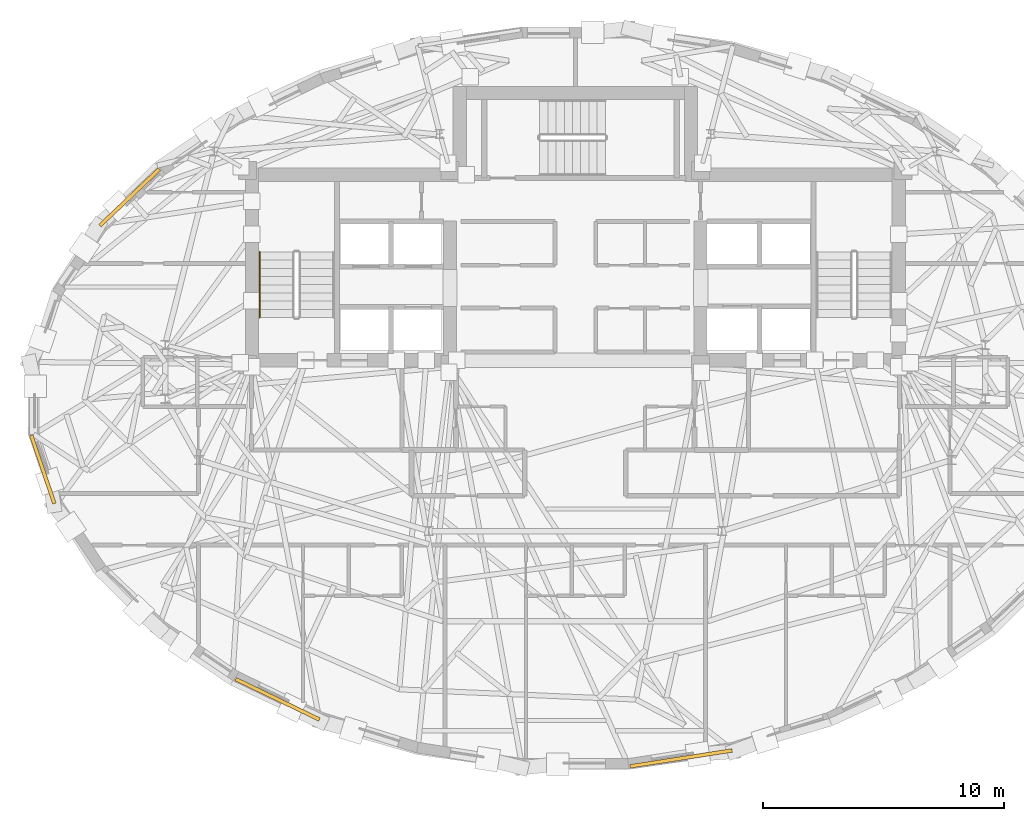
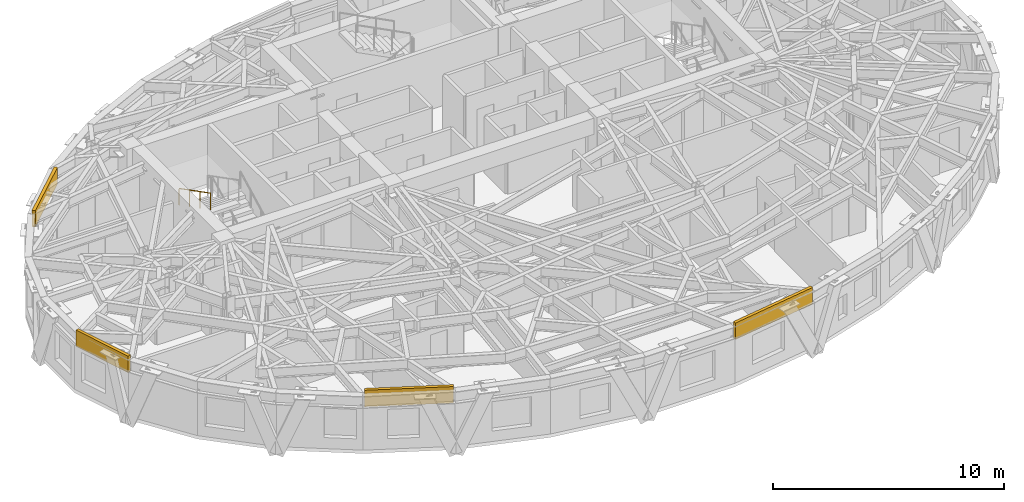
# One storey, part 12 of 14: 4 coverings, 1 railing.
"""IFC4 building model written with IfcOpenShell, lengths in metres."""

from ifc_helpers import new_model, si_unit, direction, frame, origin, origin_2d, place, context, subcontext, project, spatial, rectangle, circle, extrude, material, layer, layer_set, type_object, element, save


model = new_model("IFC4")

# Units and contexts
model_context = context("Model", 3, precision=1e-05, world=origin(), true_north=direction((0.0, 1.0)))
body_context = subcontext(model_context, "Body", "Model", "MODEL_VIEW")
ifc_project = project(units=[si_unit("LENGTHUNIT", "METRE"), si_unit("AREAUNIT", "SQUARE_METRE"), si_unit("VOLUMEUNIT", "CUBIC_METRE"), si_unit("PLANEANGLEUNIT", "RADIAN"), si_unit("MASSUNIT", "GRAM", prefix="KILO")], contexts=[model_context])

# Site, building, storey
site_placement = place(None, origin())
site = spatial("IfcSite", under=ifc_project, at=site_placement, CompositionType="ELEMENT")
building_placement = place(site_placement, origin())
building = spatial("IfcBuilding", under=site, at=building_placement, Name="Keldmark Tower", CompositionType="ELEMENT")
storey_placement = place(building_placement, frame((0.0, 0.0, 225.75)))
storey = spatial("IfcBuildingStorey", under=building, at=storey_placement, Name="L63", CompositionType="ELEMENT", Elevation=225.75)

# Coverings
ifc_material_1 = material(Name="Honed Kasota Buff Dolomitic Limestone", Category="masonry")
ifc_layer = layer(ifc_material_1, 0.074951171875)
ifc_layer_set = layer_set([ifc_layer], Name="Honed Kasota Buff Dolomitic Limestone")
covering_type = type_object("IfcCoveringType", Name="Kasota Buff Limestone Spandrel Cladding Band", PredefinedType="CLADDING", material=ifc_layer_set)
covering_1_placement = place(storey_placement, frame((-18.502685546875, 8.33349609375, 2.260009765625), z_axis=(0.0, 0.0, 1.0), x_axis=(-0.724508786636, -0.689265564269, 0.0)))
element("IfcCovering", 1, at=covering_1_placement, inside=storey, type_object=covering_type, Name="L63 Kasota Limestone Spandrel Band 13", PredefinedType="CLADDING", context=body_context, shape_type="SweptSolid", body=[
    extrude(rectangle(XDim=3.4072265625, YDim=0.14990234375, at=origin_2d()), origin(), (0.0, 0.0, 1.0), 0.8701171875),
])
covering_2_placement = place(storey_placement, frame((-22.104736328125, -2.9560546875, 2.260009765625), z_axis=(0.0, 0.0, 1.0), x_axis=(0.321323773565, -0.946969393667, 0.0)))
element("IfcCovering", 2, at=covering_2_placement, inside=storey, type_object=covering_type, Name="L63 Kasota Limestone Spandrel Band 17", PredefinedType="CLADDING", context=body_context, shape_type="SweptSolid", body=[
    extrude(rectangle(XDim=2.994384765625, YDim=0.14990234375, at=origin_2d()), origin(), (0.0, 0.0, 1.0), 0.8701171875),
])
covering_3_placement = place(storey_placement, frame((-12.35791015625, -12.500244140625, 2.260009765625), z_axis=(0.0, 0.0, 1.0), x_axis=(0.900326367481, -0.435215385779, 0.0)))
element("IfcCovering", 3, at=covering_3_placement, inside=storey, type_object=covering_type, Name="L63 Kasota Limestone Spandrel Band 21", PredefinedType="CLADDING", context=body_context, shape_type="SweptSolid", body=[
    extrude(rectangle(XDim=3.86181640625, YDim=0.14990234375, at=origin_2d()), origin(), (0.0, 0.0, 1.0), 0.8701171875),
])
covering_4_placement = place(storey_placement, frame((4.39404296875, -14.95263671875, 2.260009765625), z_axis=(0.0, 0.0, 1.0), x_axis=(0.988040736507, 0.15419307054, 0.0)))
element("IfcCovering", 4, at=covering_4_placement, inside=storey, type_object=covering_type, Name="L63 Kasota Limestone Spandrel Band 25", PredefinedType="CLADDING", context=body_context, shape_type="SweptSolid", body=[
    extrude(rectangle(XDim=4.281005859375, YDim=0.14990234375, at=origin_2d()), origin(), (0.0, 0.0, 1.0), 0.8701171875),
])

# Railing
ifc_material_2 = material(Name="Stainless Steel AISI 316L", Category="steel")
railing_type = type_object("IfcRailingType", Name="Stainless Steel Stair Handrail 900 mm", PredefinedType="HANDRAIL", material=ifc_material_2)
railing_placement = place(storey_placement, frame((-13.10009765625, 6.070068359375, 1.75)))
element("IfcRailing", 5, at=railing_placement, inside=storey, type_object=railing_type, Name="L63 ST1 stair handrail 2", PredefinedType="HANDRAIL", context=body_context, shape_type="SweptSolid", body=[
    extrude(circle(Radius=0.02392578125, at=origin_2d()), frame((0.0, 0.0, 0.8759765625), z_axis=(0.0, -0.889146794209, 0.457622091194), x_axis=(1.0, 0.0, 0.0)), (0.0, 0.0, 1.0), 3.05908203125),
    extrude(circle(Radius=0.02099609375, at=origin_2d()), origin(), (0.0, 0.0, 1.0), 0.851806640625),
    extrude(circle(Radius=0.02099609375, at=origin_2d()), frame((0.0, -0.90673828125, 0.466552734375)), (0.0, 0.0, 1.0), 0.851806640625),
    extrude(circle(Radius=0.02099609375, at=origin_2d()), frame((0.0, -1.813232421875, 0.933349609375)), (0.0, 0.0, 1.0), 0.851806640625),
    extrude(circle(Radius=0.02099609375, at=origin_2d()), frame((0.0, -2.719970703125, 1.39990234375)), (0.0, 0.0, 1.0), 0.851806640625),
])

save(model, "model.ifc")
